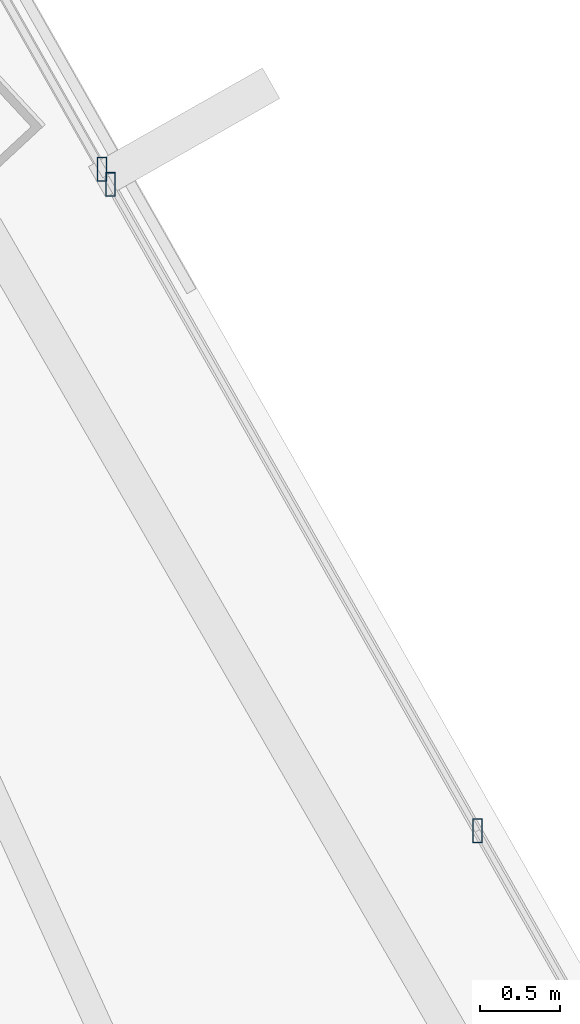
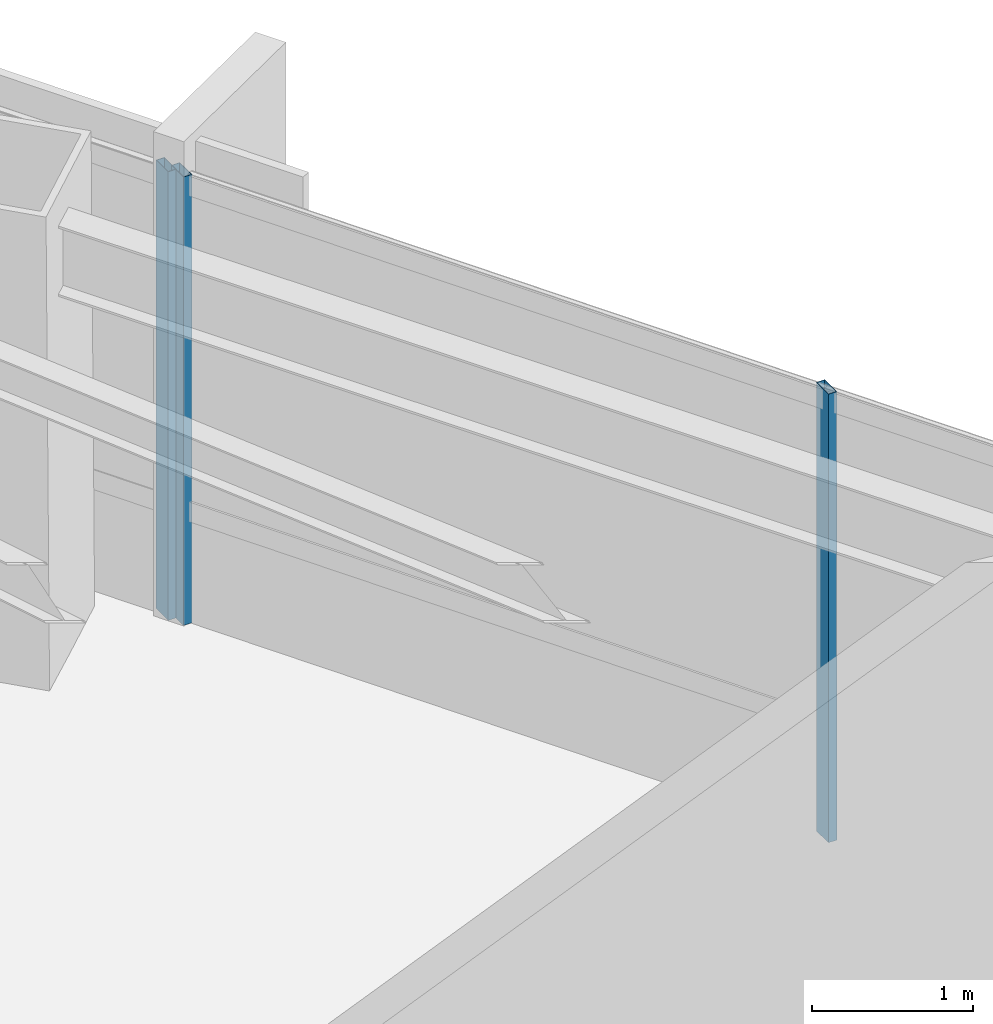
# One storey, part 23 of 41: 3 members, 2 elements without a shape of their own.
"""IFC4 building model written with IfcOpenShell, lengths in metres."""

from ifc_helpers import new_model, si_unit, direction, frame, origin, origin_2d, place, context, subcontext, project, spatial, hollow_rectangle, extrude, source, transform, mapped, material, material_profile, profile_set, type_object, type_shapes, element, aggregate, save


model = new_model("IFC4")

# Units and contexts
model_context = context("Model", 3, precision=1e-05, world=origin(), true_north=direction((0.0, 1.0)))
body_context = subcontext(model_context, "Body", "Model", "MODEL_VIEW")
ifc_project = project(units=[si_unit("LENGTHUNIT", "METRE"), si_unit("AREAUNIT", "SQUARE_METRE"), si_unit("VOLUMEUNIT", "CUBIC_METRE"), si_unit("PLANEANGLEUNIT", "RADIAN"), si_unit("MASSUNIT", "GRAM", prefix="KILO")], contexts=[model_context])

# Site, building, storey
site_placement = place(None, origin())
site = spatial("IfcSite", under=ifc_project, at=site_placement, CompositionType="ELEMENT")
building_placement = place(site_placement, origin())
building = spatial("IfcBuilding", under=site, at=building_placement, Name="Caelisora Broadcast Tower", CompositionType="ELEMENT")
storey_placement = place(building_placement, frame((0.0, 0.0, 135.449951171875)))
storey = spatial("IfcBuildingStorey", under=building, at=storey_placement, Name="L35", CompositionType="ELEMENT", Elevation=135.449951171875)

# Curtain wall, member
ifc_material_1 = material(Name="Unitised Aluminium Insulated Shadow-Box Spandrel Curtain Wall", Category="aluminium")
curtain_wall_type_1 = type_object("IfcCurtainWallType", Name="CW-SP2", PredefinedType="NOTDEFINED", material=ifc_material_1)
curtain_wall_1_placement = place(storey_placement, origin())
curtain_wall_1 = element("IfcCurtainWall", 1, at=curtain_wall_1_placement, inside=storey, type_object=curtain_wall_type_1, Name="L35 curtain wall CW-SP2", PredefinedType="NOTDEFINED")
ifc_material_2 = material(Name="Aluminium 6063-T6 Anodised Terracotta Bronze", Category="aluminium")
ifc_material_profile = material_profile(ifc_material_2, hollow_rectangle(XDim=0.06005859375, YDim=0.14990234375, WallThickness=0.00341796875, at=origin_2d()), Name="Aluminium 6063-T6 Anodised Terracotta Bronze")
ifc_profile_set = profile_set([ifc_material_profile], Name="Aluminium 6063-T6 Anodised Terracotta Bronze")
member_type = type_object("IfcMemberType", Name="CWM-03", PredefinedType="MULLION", material=ifc_profile_set)
shared_shape = source(origin(), body_context, "Body", "SweptSolid", [
    extrude(hollow_rectangle(XDim=0.06005859375, YDim=0.14990234375, WallThickness=0.00341796875, at=origin_2d()), origin(), (0.0, 0.0, 1.0), 3.400146484375),
])
type_shapes(member_type, [shared_shape])
member_1_placement = place(storey_placement, frame((56.48291015625, 27.584716796875, 0.0), z_axis=(0.0, 0.0, 1.0), x_axis=(1.0, 0.0, 0.0)))
member_1 = element("IfcMember", 2, at=member_1_placement, type_object=member_type, Name="L35-CW-B02 mullion #3", PredefinedType="MULLION", context=body_context, shape_type="MappedRepresentation", body=[
    mapped(shared_shape, transform((0.0, 0.0, 0.0), scale=1.0)),
])
aggregate(curtain_wall_1, [member_1])

# Curtain wall, members
ifc_material_3 = material(Name="Unitised Aluminium and Low-E Glass Curtain Wall", Category="glass")
curtain_wall_type_2 = type_object("IfcCurtainWallType", Name="CW-Z3", PredefinedType="NOTDEFINED", material=ifc_material_3)
curtain_wall_2_placement = place(storey_placement, origin())
curtain_wall_2 = element("IfcCurtainWall", 3, at=curtain_wall_2_placement, inside=storey, type_object=curtain_wall_type_2, Name="L35 curtain wall CW-Z3", PredefinedType="NOTDEFINED")
member_2_placement = place(storey_placement, frame((56.537109375, 27.489013671875, 0.0), z_axis=(0.0, 0.0, 1.0), x_axis=(1.0, 0.0, 0.0)))
member_2 = element("IfcMember", 4, at=member_2_placement, type_object=member_type, Name="L35-CW-B03 mullion #0", PredefinedType="MULLION", context=body_context, shape_type="MappedRepresentation", body=[
    mapped(shared_shape, transform((0.0, 0.0, 0.0), scale=1.0)),
])
member_3_placement = place(storey_placement, frame((58.829345703125, 23.45068359375, 0.0), z_axis=(0.0, 0.0, 1.0), x_axis=(1.0, 0.0, 0.0)))
member_3 = element("IfcMember", 5, at=member_3_placement, type_object=member_type, Name="L35-CW-B03 mullion #1", PredefinedType="MULLION", context=body_context, shape_type="MappedRepresentation", body=[
    mapped(shared_shape, transform((0.0, 0.0, 0.0), scale=1.0)),
])
aggregate(curtain_wall_2, [member_2, member_3])

save(model, "model.ifc")
